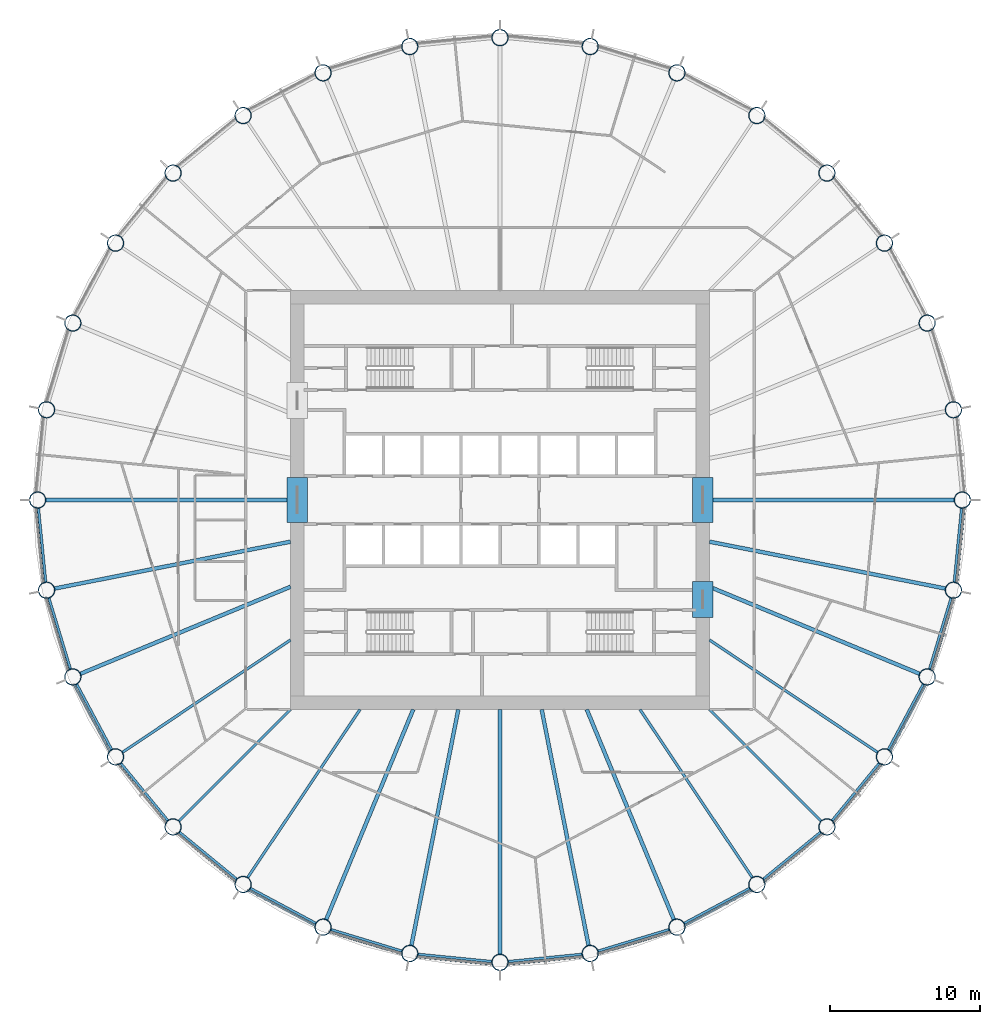
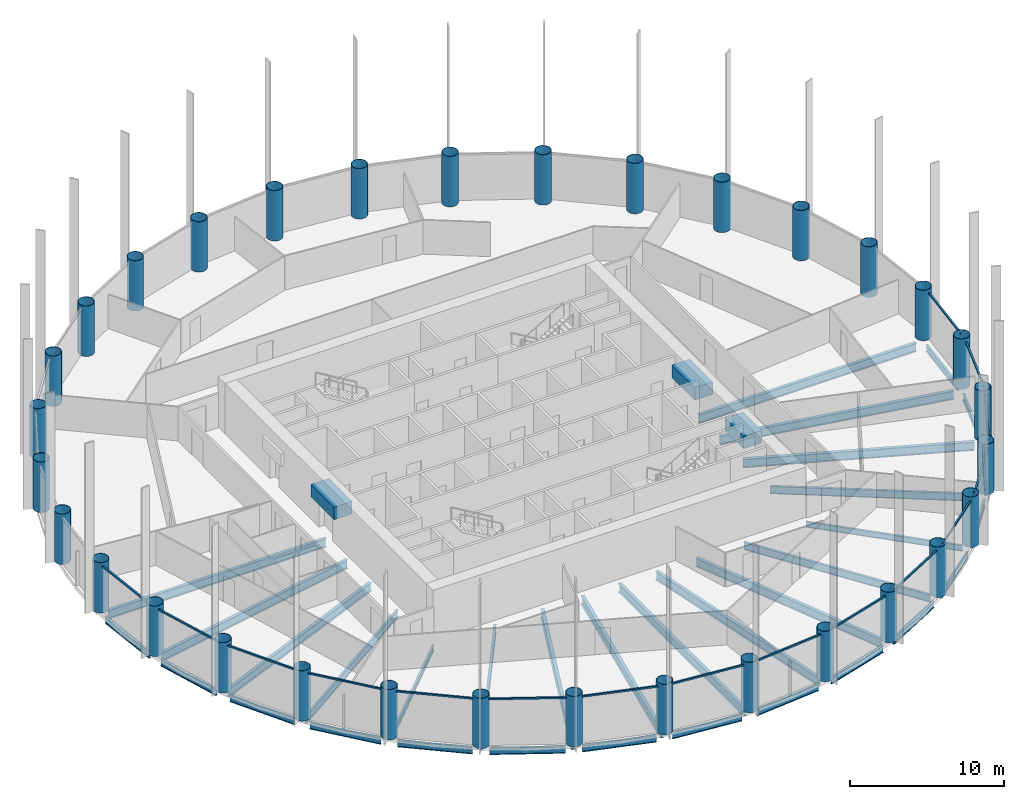
# One storey, part 1 of 9: 36 beams, 32 columns, 16 members, 16 elements without a shape of their own.
"""IFC4 building model written with IfcOpenShell, lengths in metres."""

from ifc_helpers import new_model, si_unit, direction, frame, origin, origin_2d, place, context, subcontext, project, spatial, rectangle, hollow_circle, i_section, extrude, material, material_profile, profile_set, type_object, element, aggregate, save


model = new_model("IFC4")

# Units and contexts
model_context = context("Model", 3, precision=1e-05, world=origin(), true_north=direction((0.0, 1.0)))
body_context = subcontext(model_context, "Body", "Model", "MODEL_VIEW")
ifc_project = project(units=[si_unit("LENGTHUNIT", "METRE"), si_unit("AREAUNIT", "SQUARE_METRE"), si_unit("VOLUMEUNIT", "CUBIC_METRE"), si_unit("PLANEANGLEUNIT", "RADIAN"), si_unit("MASSUNIT", "GRAM", prefix="KILO")], contexts=[model_context])

# Site, building, storey
site_placement = place(None, origin())
site = spatial("IfcSite", under=ifc_project, at=site_placement, CompositionType="ELEMENT")
building_placement = place(site_placement, origin())
building = spatial("IfcBuilding", under=site, at=building_placement, Name="Corvane Civic Tower", CompositionType="ELEMENT")
storey_placement = place(building_placement, frame((0.0, 0.0, 188.0)))
storey = spatial("IfcBuildingStorey", under=building, at=storey_placement, Name="L44", CompositionType="ELEMENT", Elevation=188.0)

# Columns
ifc_material_1 = material(Name="Steel ASTM A572 Gr 50", Category="steel")
ifc_material_profile_1 = material_profile(ifc_material_1, hollow_circle(Radius=0.550048828125, WallThickness=0.031982421875, at=origin_2d()), Name="CHS1100X32")
ifc_profile_set_1 = profile_set([ifc_material_profile_1], Name="Steel ASTM A572 Gr 50")
column_type = type_object("IfcColumnType", Name="COMPOSITE COLUMN CHS1100X32", PredefinedType="COLUMN", material=ifc_profile_set_1)
for number, where, z_axis, x_axis, name in (
    (1, (0.0, 30.89990234375, 0.0), (0.0, 0.0, 1.0), (1.0, 0.0, 0.0), "COL-L44-C01"),
    (2, (6.0283203125, 30.30615234375, 0.0), (0.0, 0.0, 1.0), (1.0, 0.0, 0.0), "COL-L44-C02"),
    (3, (11.824951171875, 28.5478515625, 0.0), (0.0, 0.0, 1.0), (1.0, 0.0, 0.0), "COL-L44-C03"),
    (4, (17.167236328125, 25.6923828125, 0.0), (0.0, 0.0, 1.0), (1.0, 0.0, 0.0), "COL-L44-C04"),
    (5, (21.849609375, 21.849609375, 0.0), (0.0, 0.0, 1.0), (1.0, 0.0, 0.0), "COL-L44-C05"),
    (6, (25.6923828125, 17.167236328125, 0.0), (0.0, 0.0, 1.0), (1.0, 0.0, 0.0), "COL-L44-C06"),
    (7, (28.5478515625, 11.824951171875, 0.0), (0.0, 0.0, 1.0), (1.0, 0.0, 0.0), "COL-L44-C07"),
    (8, (30.30615234375, 6.0283203125, 0.0), (0.0, 0.0, 1.0), (1.0, 0.0, 0.0), "COL-L44-C08"),
    (9, (30.89990234375, 0.0, 0.0), (0.0, 0.0, 1.0), (1.0, 0.0, 0.0), "COL-L44-C09"),
    (10, (30.30615234375, -6.0283203125, 0.0), (0.0, 0.0, 1.0), (1.0, 0.0, 0.0), "COL-L44-C10"),
    (11, (28.5478515625, -11.824951171875, 0.0), (0.0, 0.0, 1.0), (1.0, 0.0, 0.0), "COL-L44-C11"),
    (12, (25.6923828125, -17.167236328125, 0.0), (0.0, 0.0, 1.0), (1.0, 0.0, 0.0), "COL-L44-C12"),
    (13, (21.849609375, -21.849609375, 0.0), (0.0, 0.0, 1.0), (1.0, 0.0, 0.0), "COL-L44-C13"),
    (14, (17.167236328125, -25.6923828125, 0.0), (0.0, 0.0, 1.0), (1.0, 0.0, 0.0), "COL-L44-C14"),
    (15, (11.824951171875, -28.5478515625, 0.0), (0.0, 0.0, 1.0), (1.0, 0.0, 0.0), "COL-L44-C15"),
    (16, (6.0283203125, -30.30615234375, 0.0), (0.0, 0.0, 1.0), (1.0, 0.0, 0.0), "COL-L44-C16"),
    (17, (0.0, -30.89990234375, 0.0), (0.0, 0.0, 1.0), (1.0, 0.0, 0.0), "COL-L44-C17"),
    (18, (-6.0283203125, -30.30615234375, 0.0), (0.0, 0.0, 1.0), (1.0, 0.0, 0.0), "COL-L44-C18"),
    (19, (-11.824951171875, -28.5478515625, 0.0), (0.0, 0.0, 1.0), (1.0, 0.0, 0.0), "COL-L44-C19"),
    (20, (-17.167236328125, -25.6923828125, 0.0), (0.0, 0.0, 1.0), (1.0, 0.0, 0.0), "COL-L44-C20"),
    (21, (-21.849609375, -21.849609375, 0.0), (0.0, 0.0, 1.0), (1.0, 0.0, 0.0), "COL-L44-C21"),
    (22, (-25.6923828125, -17.167236328125, 0.0), (0.0, 0.0, 1.0), (1.0, 0.0, 0.0), "COL-L44-C22"),
    (23, (-28.5478515625, -11.824951171875, 0.0), (0.0, 0.0, 1.0), (1.0, 0.0, 0.0), "COL-L44-C23"),
    (24, (-30.30615234375, -6.0283203125, 0.0), (0.0, 0.0, 1.0), (1.0, 0.0, 0.0), "COL-L44-C24"),
    (25, (-30.89990234375, 0.0, 0.0), (0.0, 0.0, 1.0), (1.0, 0.0, 0.0), "COL-L44-C25"),
    (26, (-30.30615234375, 6.0283203125, 0.0), (0.0, 0.0, 1.0), (1.0, 0.0, 0.0), "COL-L44-C26"),
    (27, (-28.5478515625, 11.824951171875, 0.0), (0.0, 0.0, 1.0), (1.0, 0.0, 0.0), "COL-L44-C27"),
    (28, (-25.6923828125, 17.167236328125, 0.0), (0.0, 0.0, 1.0), (1.0, 0.0, 0.0), "COL-L44-C28"),
    (29, (-21.849609375, 21.849609375, 0.0), (0.0, 0.0, 1.0), (1.0, 0.0, 0.0), "COL-L44-C29"),
    (30, (-17.167236328125, 25.6923828125, 0.0), (0.0, 0.0, 1.0), (1.0, 0.0, 0.0), "COL-L44-C30"),
    (31, (-11.824951171875, 28.5478515625, 0.0), (0.0, 0.0, 1.0), (1.0, 0.0, 0.0), "COL-L44-C31"),
    (32, (-6.0283203125, 30.30615234375, 0.0), (0.0, 0.0, 1.0), (1.0, 0.0, 0.0), "COL-L44-C32"),
):
    element("IfcColumn", number, at=place(storey_placement, frame(where, z_axis=z_axis, x_axis=x_axis)), inside=storey, type_object=column_type, Name=name, PredefinedType="COLUMN", context=body_context, shape_type="SweptSolid", body=[
        extrude(hollow_circle(Radius=0.550048828125, WallThickness=0.031982421875, at=origin_2d()), origin(), (0.0, 0.0, 1.0), 4.0),
    ])

# Beams
ifc_material_2 = material(Name="Concrete C60/75", Category="concrete")
ifc_material_profile_2 = material_profile(ifc_material_2, rectangle(XDim=1.35009765625, YDim=1.0, at=origin_2d()), Name="COUPLING BEAM 1350X1000")
ifc_profile_set_2 = profile_set([ifc_material_profile_2], Name="Concrete C60/75")
beam_type_1 = type_object("IfcBeamType", Name="COUPLING BEAM COUPLING BEAM 1350X1000", PredefinedType="BEAM", material=ifc_profile_set_2)
for number, where, z_axis, x_axis, name in (
    (33, (-13.550048828125, -1.5, 2.60009765625), (0.0, 1.0, 0.0), (-1.0, 0.0, 0.0), "BM-L44-cpl-CW-LW"),
    (34, (13.550048828125, -1.5, 2.60009765625), (0.0, 1.0, 0.0), (-1.0, 0.0, 0.0), "BM-L44-cpl-CW-LE"),
):
    element("IfcBeam", number, at=place(storey_placement, frame(where, z_axis=z_axis, x_axis=x_axis)), inside=storey, type_object=beam_type_1, Name=name, PredefinedType="BEAM", context=body_context, shape_type="SweptSolid", body=[
        extrude(rectangle(XDim=1.35009765625, YDim=1.0, at=origin_2d()), origin(), (0.0, 0.0, 1.0), 3.0),
    ])
beam_1_placement = place(storey_placement, frame((13.550048828125, -7.85009765625, 2.60009765625), z_axis=(0.0, 1.0, 0.0), x_axis=(-1.0, 0.0, 0.0)))
element("IfcBeam", 35, at=beam_1_placement, inside=storey, type_object=beam_type_1, Name="BM-L44-cpl-CW-ES", PredefinedType="BEAM", context=body_context, shape_type="SweptSolid", body=[
    extrude(rectangle(XDim=1.35009765625, YDim=1.0, at=origin_2d()), origin(), (0.0, 0.0, 1.0), 2.400146484375),
])
ifc_material_3 = material(Name="Steel ASTM A992 Gr 50", Category="steel")
ifc_material_profile_3 = material_profile(ifc_material_3, i_section(OverallWidth=0.165771484375, OverallDepth=0.5283203125, WebThickness=0.009765625, FlangeThickness=0.013671875, at=origin_2d()), Name="W21X50")
ifc_profile_set_3 = profile_set([ifc_material_profile_3], Name="Steel ASTM A992 Gr 50")
beam_type_2 = type_object("IfcBeamType", Name="EDGE BEAM W21X50", PredefinedType="BEAM", material=ifc_profile_set_3)
beam_2_placement = place(storey_placement, frame((30.845947265625, -0.54736328125, -0.564208984375), z_axis=(-0.09800181167, -0.995186236294, 0.0), x_axis=(0.995186236294, -0.09800181167, 0.0)))
element("IfcBeam", 36, at=beam_2_placement, inside=storey, type_object=beam_type_2, Name="BM-L44-E09", PredefinedType="BEAM", context=body_context, shape_type="SweptSolid", body=[
    extrude(i_section(OverallWidth=0.165771484375, OverallDepth=0.5283203125, WebThickness=0.009765625, FlangeThickness=0.013671875, at=origin_2d()), origin(), (0.0, 0.0, 1.0), 4.95751953125),
])
beam_3_placement = place(storey_placement, frame((30.146484375, -6.5546875, -0.564208984375), z_axis=(-0.290269821381, -0.956944842086, 0.0), x_axis=(0.956944842086, -0.290269821381, 0.0)))
element("IfcBeam", 37, at=beam_3_placement, inside=storey, type_object=beam_type_2, Name="BM-L44-E10", PredefinedType="BEAM", context=body_context, shape_type="SweptSolid", body=[
    extrude(i_section(OverallWidth=0.165771484375, OverallDepth=0.5283203125, WebThickness=0.009765625, FlangeThickness=0.013671875, at=origin_2d()), origin(), (0.0, 0.0, 1.0), 4.957275390625),
])
for number, where, z_axis, x_axis, name in (
    (38, (28.28857421875, -12.31005859375, -0.564208984375), (-0.471395763042, -0.881921784846, 0.0), (0.881921784846, -0.471395763042, 0.0), "BM-L44-E11"),
    (39, (25.343505859375, -17.59228515625, -0.564208984375), (-0.634387546532, -0.77301516208, 0.0), (0.77301516208, -0.634387546532, 0.0), "BM-L44-E12"),
    (40, (21.424560546875, -22.198486328125, -0.564208984375), (-0.77301516208, -0.634387546532, 0.0), (0.634387546532, -0.77301516208, 0.0), "BM-L44-E13"),
    (41, (16.68212890625, -25.95166015625, -0.564208984375), (-0.881921784846, -0.471395763042, 0.0), (0.471395763042, -0.881921784846, 0.0), "BM-L44-E14"),
):
    element("IfcBeam", number, at=place(storey_placement, frame(where, z_axis=z_axis, x_axis=x_axis)), inside=storey, type_object=beam_type_2, Name=name, PredefinedType="BEAM", context=body_context, shape_type="SweptSolid", body=[
        extrude(i_section(OverallWidth=0.165771484375, OverallDepth=0.5283203125, WebThickness=0.009765625, FlangeThickness=0.013671875, at=origin_2d()), origin(), (0.0, 0.0, 1.0), 4.95751953125),
    ])
beam_4_placement = place(storey_placement, frame((11.298583984375, -28.70751953125, -0.564208984375), z_axis=(-0.956944842086, -0.290269821381, 0.0), x_axis=(0.290269821381, -0.956944842086, 0.0)))
element("IfcBeam", 42, at=beam_4_placement, inside=storey, type_object=beam_type_2, Name="BM-L44-E15", PredefinedType="BEAM", context=body_context, shape_type="SweptSolid", body=[
    extrude(i_section(OverallWidth=0.165771484375, OverallDepth=0.5283203125, WebThickness=0.009765625, FlangeThickness=0.013671875, at=origin_2d()), origin(), (0.0, 0.0, 1.0), 4.957275390625),
])
for number, where, z_axis, x_axis, name in (
    (43, (5.48095703125, -30.360107421875, -0.564208984375), (-0.995186236294, -0.09800181167, 0.0), (0.09800181167, -0.995186236294, 0.0), "BM-L44-E16"),
    (44, (-0.54736328125, -30.845947265625, -0.564208984375), (-0.995186236294, 0.09800181167, 0.0), (-0.09800181167, -0.995186236294, 0.0), "BM-L44-E17"),
):
    element("IfcBeam", number, at=place(storey_placement, frame(where, z_axis=z_axis, x_axis=x_axis)), inside=storey, type_object=beam_type_2, Name=name, PredefinedType="BEAM", context=body_context, shape_type="SweptSolid", body=[
        extrude(i_section(OverallWidth=0.165771484375, OverallDepth=0.5283203125, WebThickness=0.009765625, FlangeThickness=0.013671875, at=origin_2d()), origin(), (0.0, 0.0, 1.0), 4.95751953125),
    ])
beam_5_placement = place(storey_placement, frame((-6.5546875, -30.146484375, -0.564208984375), z_axis=(-0.956944842086, 0.290269821381, 0.0), x_axis=(-0.290269821381, -0.956944842086, 0.0)))
element("IfcBeam", 45, at=beam_5_placement, inside=storey, type_object=beam_type_2, Name="BM-L44-E18", PredefinedType="BEAM", context=body_context, shape_type="SweptSolid", body=[
    extrude(i_section(OverallWidth=0.165771484375, OverallDepth=0.5283203125, WebThickness=0.009765625, FlangeThickness=0.013671875, at=origin_2d()), origin(), (0.0, 0.0, 1.0), 4.957275390625),
])
for number, where, z_axis, x_axis, name in (
    (46, (-12.31005859375, -28.28857421875, -0.564208984375), (-0.881921784846, 0.471395763042, 0.0), (-0.471395763042, -0.881921784846, 0.0), "BM-L44-E19"),
    (47, (-17.59228515625, -25.343505859375, -0.564208984375), (-0.77301516208, 0.634387546532, 0.0), (-0.634387546532, -0.77301516208, 0.0), "BM-L44-E20"),
    (48, (-22.198486328125, -21.424560546875, -0.564208984375), (-0.634387546532, 0.77301516208, 0.0), (-0.77301516208, -0.634387546532, 0.0), "BM-L44-E21"),
    (49, (-25.95166015625, -16.68212890625, -0.564208984375), (-0.471395763042, 0.881921784846, 0.0), (-0.881921784846, -0.471395763042, 0.0), "BM-L44-E22"),
):
    element("IfcBeam", number, at=place(storey_placement, frame(where, z_axis=z_axis, x_axis=x_axis)), inside=storey, type_object=beam_type_2, Name=name, PredefinedType="BEAM", context=body_context, shape_type="SweptSolid", body=[
        extrude(i_section(OverallWidth=0.165771484375, OverallDepth=0.5283203125, WebThickness=0.009765625, FlangeThickness=0.013671875, at=origin_2d()), origin(), (0.0, 0.0, 1.0), 4.95751953125),
    ])
beam_6_placement = place(storey_placement, frame((-28.70751953125, -11.298583984375, -0.564208984375), z_axis=(-0.290269821381, 0.956944842086, 0.0), x_axis=(-0.956944842086, -0.290269821381, 0.0)))
element("IfcBeam", 50, at=beam_6_placement, inside=storey, type_object=beam_type_2, Name="BM-L44-E23", PredefinedType="BEAM", context=body_context, shape_type="SweptSolid", body=[
    extrude(i_section(OverallWidth=0.165771484375, OverallDepth=0.5283203125, WebThickness=0.009765625, FlangeThickness=0.013671875, at=origin_2d()), origin(), (0.0, 0.0, 1.0), 4.957275390625),
])
beam_7_placement = place(storey_placement, frame((-30.360107421875, -5.48095703125, -0.564208984375), z_axis=(-0.09800181167, 0.995186236294, 0.0), x_axis=(-0.995186236294, -0.09800181167, 0.0)))
element("IfcBeam", 51, at=beam_7_placement, inside=storey, type_object=beam_type_2, Name="BM-L44-E24", PredefinedType="BEAM", context=body_context, shape_type="SweptSolid", body=[
    extrude(i_section(OverallWidth=0.165771484375, OverallDepth=0.5283203125, WebThickness=0.009765625, FlangeThickness=0.013671875, at=origin_2d()), origin(), (0.0, 0.0, 1.0), 4.95751953125),
])
ifc_material_4 = material(Name="Steel ASTM A992 Gr 50", Category="steel")
ifc_material_profile_4 = material_profile(ifc_material_4, i_section(OverallWidth=0.15283203125, OverallDepth=0.45458984375, WebThickness=0.008056640625, FlangeThickness=0.013427734375, at=origin_2d()), Name="W18X40")
ifc_profile_set_4 = profile_set([ifc_material_profile_4], Name="Steel ASTM A992 Gr 50")
beam_type_3 = type_object("IfcBeamType", Name="FLOOR GIRDER W18X40", PredefinedType="BEAM", material=ifc_profile_set_4)
for number, where, z_axis, x_axis, name in (
    (52, (14.0, -14.0, -0.52734375), (0.707106781187, -0.707106781187, 0.0), (0.707106781187, 0.707106781187, 0.0), "BM-L44-G13"),
    (53, (-14.0, -14.0, -0.52734375), (-0.707106781187, -0.707106781187, 0.0), (0.707106781187, -0.707106781187, 0.0), "BM-L44-G21"),
):
    element("IfcBeam", number, at=place(storey_placement, frame(where, z_axis=z_axis, x_axis=x_axis)), inside=storey, type_object=beam_type_3, Name=name, PredefinedType="BEAM", context=body_context, shape_type="SweptSolid", body=[
        extrude(i_section(OverallWidth=0.15283203125, OverallDepth=0.45458984375, WebThickness=0.008056640625, FlangeThickness=0.013427734375, at=origin_2d()), origin(), (0.0, 0.0, 1.0), 10.551025390625),
    ])
ifc_material_5 = material(Name="Steel ASTM A992 Gr 50", Category="steel")
ifc_material_profile_5 = material_profile(ifc_material_5, i_section(OverallWidth=0.177978515625, OverallDepth=0.599365234375, WebThickness=0.010009765625, FlangeThickness=0.012939453125, at=origin_2d()), Name="W24X55")
ifc_profile_set_5 = profile_set([ifc_material_profile_5], Name="Steel ASTM A992 Gr 50")
beam_type_4 = type_object("IfcBeamType", Name="FLOOR GIRDER W24X55", PredefinedType="BEAM", material=ifc_profile_set_5)
for number, where, z_axis, x_axis, name in (
    (54, (14.0, -9.3544921875, -0.599609375), (0.83146888399, -0.555571323015, 0.0), (0.555571323015, 0.83146888399, 0.0), "BM-L44-G12"),
    (55, (9.3544921875, -14.0, -0.599609375), (0.555571323015, -0.83146888399, 0.0), (0.83146888399, 0.555571323015, 0.0), "BM-L44-G14"),
    (56, (-9.3544921875, -14.0, -0.599609375), (-0.555571323015, -0.83146888399, 0.0), (0.83146888399, -0.555571323015, 0.0), "BM-L44-G20"),
    (57, (-14.0, -9.3544921875, -0.599609375), (-0.83146888399, -0.555571323015, 0.0), (0.555571323015, -0.83146888399, 0.0), "BM-L44-G22"),
):
    element("IfcBeam", number, at=place(storey_placement, frame(where, z_axis=z_axis, x_axis=x_axis)), inside=storey, type_object=beam_type_4, Name=name, PredefinedType="BEAM", context=body_context, shape_type="SweptSolid", body=[
        extrude(i_section(OverallWidth=0.177978515625, OverallDepth=0.599365234375, WebThickness=0.010009765625, FlangeThickness=0.012939453125, at=origin_2d()), origin(), (0.0, 0.0, 1.0), 13.512451171875),
    ])
ifc_material_6 = material(Name="Steel ASTM A992 Gr 50", Category="steel")
ifc_material_profile_6 = material_profile(ifc_material_6, i_section(OverallWidth=0.25390625, OverallDepth=0.67822265625, WebThickness=0.01171875, FlangeThickness=0.016357421875, at=origin_2d()), Name="W27X84")
ifc_profile_set_6 = profile_set([ifc_material_profile_6], Name="Steel ASTM A992 Gr 50")
beam_type_5 = type_object("IfcBeamType", Name="FLOOR GIRDER W27X84", PredefinedType="BEAM", material=ifc_profile_set_6)
beam_8_placement = place(storey_placement, frame((14.0, 0.0, -0.63916015625), z_axis=(1.0, 0.0, 0.0), x_axis=(0.0, 1.0, 0.0)))
element("IfcBeam", 58, at=beam_8_placement, inside=storey, type_object=beam_type_5, Name="BM-L44-G09", PredefinedType="BEAM", context=body_context, shape_type="SweptSolid", body=[
    extrude(i_section(OverallWidth=0.25390625, OverallDepth=0.67822265625, WebThickness=0.01171875, FlangeThickness=0.016357421875, at=origin_2d()), origin(), (0.0, 0.0, 1.0), 16.35009765625),
])
beam_9_placement = place(storey_placement, frame((14.0, -2.78466796875, -0.63916015625), z_axis=(0.980785162999, -0.195090912248, 0.0), x_axis=(0.195090912248, 0.980785162999, 0.0)))
element("IfcBeam", 59, at=beam_9_placement, inside=storey, type_object=beam_type_5, Name="BM-L44-G10", PredefinedType="BEAM", context=body_context, shape_type="SweptSolid", body=[
    extrude(i_section(OverallWidth=0.25390625, OverallDepth=0.67822265625, WebThickness=0.01171875, FlangeThickness=0.016357421875, at=origin_2d()), origin(), (0.0, 0.0, 1.0), 16.07568359375),
])
for number, where, z_axis, x_axis, name in (
    (60, (14.0, -5.799072265625, -0.63916015625), (0.923880551114, -0.38268097323, 0.0), (0.38268097323, 0.923880551114, 0.0), "BM-L44-G11"),
    (61, (5.799072265625, -14.0, -0.63916015625), (0.38268097323, -0.923880551114, 0.0), (0.923880551114, 0.38268097323, 0.0), "BM-L44-G15"),
):
    element("IfcBeam", number, at=place(storey_placement, frame(where, z_axis=z_axis, x_axis=x_axis)), inside=storey, type_object=beam_type_5, Name=name, PredefinedType="BEAM", context=body_context, shape_type="SweptSolid", body=[
        extrude(i_section(OverallWidth=0.25390625, OverallDepth=0.67822265625, WebThickness=0.01171875, FlangeThickness=0.016357421875, at=origin_2d()), origin(), (0.0, 0.0, 1.0), 15.196533203125),
    ])
beam_10_placement = place(storey_placement, frame((2.78466796875, -14.0, -0.63916015625), z_axis=(0.195090912248, -0.980785162999, 0.0), x_axis=(0.980785162999, 0.195090912248, 0.0)))
element("IfcBeam", 62, at=beam_10_placement, inside=storey, type_object=beam_type_5, Name="BM-L44-G16", PredefinedType="BEAM", context=body_context, shape_type="SweptSolid", body=[
    extrude(i_section(OverallWidth=0.25390625, OverallDepth=0.67822265625, WebThickness=0.01171875, FlangeThickness=0.016357421875, at=origin_2d()), origin(), (0.0, 0.0, 1.0), 16.07568359375),
])
beam_11_placement = place(storey_placement, frame((0.0, -14.0, -0.63916015625), z_axis=(0.0, -1.0, 0.0), x_axis=(1.0, 0.0, 0.0)))
element("IfcBeam", 63, at=beam_11_placement, inside=storey, type_object=beam_type_5, Name="BM-L44-G17", PredefinedType="BEAM", context=body_context, shape_type="SweptSolid", body=[
    extrude(i_section(OverallWidth=0.25390625, OverallDepth=0.67822265625, WebThickness=0.01171875, FlangeThickness=0.016357421875, at=origin_2d()), origin(), (0.0, 0.0, 1.0), 16.35009765625),
])
beam_12_placement = place(storey_placement, frame((-2.78466796875, -14.0, -0.63916015625), z_axis=(-0.195090912248, -0.980785162999, 0.0), x_axis=(0.980785162999, -0.195090912248, 0.0)))
element("IfcBeam", 64, at=beam_12_placement, inside=storey, type_object=beam_type_5, Name="BM-L44-G18", PredefinedType="BEAM", context=body_context, shape_type="SweptSolid", body=[
    extrude(i_section(OverallWidth=0.25390625, OverallDepth=0.67822265625, WebThickness=0.01171875, FlangeThickness=0.016357421875, at=origin_2d()), origin(), (0.0, 0.0, 1.0), 16.07568359375),
])
for number, where, z_axis, x_axis, name in (
    (65, (-5.799072265625, -14.0, -0.63916015625), (-0.38268097323, -0.923880551114, 0.0), (0.923880551114, -0.38268097323, 0.0), "BM-L44-G19"),
    (66, (-14.0, -5.799072265625, -0.63916015625), (-0.923880551114, -0.38268097323, 0.0), (0.38268097323, -0.923880551114, 0.0), "BM-L44-G23"),
):
    element("IfcBeam", number, at=place(storey_placement, frame(where, z_axis=z_axis, x_axis=x_axis)), inside=storey, type_object=beam_type_5, Name=name, PredefinedType="BEAM", context=body_context, shape_type="SweptSolid", body=[
        extrude(i_section(OverallWidth=0.25390625, OverallDepth=0.67822265625, WebThickness=0.01171875, FlangeThickness=0.016357421875, at=origin_2d()), origin(), (0.0, 0.0, 1.0), 15.196533203125),
    ])
beam_13_placement = place(storey_placement, frame((-14.0, -2.78466796875, -0.63916015625), z_axis=(-0.980785162999, -0.195090912248, 0.0), x_axis=(0.195090912248, -0.980785162999, 0.0)))
element("IfcBeam", 67, at=beam_13_placement, inside=storey, type_object=beam_type_5, Name="BM-L44-G24", PredefinedType="BEAM", context=body_context, shape_type="SweptSolid", body=[
    extrude(i_section(OverallWidth=0.25390625, OverallDepth=0.67822265625, WebThickness=0.01171875, FlangeThickness=0.016357421875, at=origin_2d()), origin(), (0.0, 0.0, 1.0), 16.07568359375),
])
beam_14_placement = place(storey_placement, frame((-14.0, 0.0, -0.63916015625), z_axis=(-1.0, 0.0, 0.0), x_axis=(0.0, -1.0, 0.0)))
element("IfcBeam", 68, at=beam_14_placement, inside=storey, type_object=beam_type_5, Name="BM-L44-G25", PredefinedType="BEAM", context=body_context, shape_type="SweptSolid", body=[
    extrude(i_section(OverallWidth=0.25390625, OverallDepth=0.67822265625, WebThickness=0.01171875, FlangeThickness=0.016357421875, at=origin_2d()), origin(), (0.0, 0.0, 1.0), 16.35009765625),
])

# Curtain wall, member
ifc_material_7 = material(Name="Anodised aluminium bronze", Category="aluminium")
curtain_wall_type = type_object("IfcCurtainWallType", Name="TOWER CW-T2 STICK CURTAIN WALL", PredefinedType="NOTDEFINED", material=ifc_material_7)
curtain_wall_1_placement = place(storey_placement, origin())
curtain_wall_1 = element("IfcCurtainWall", 69, at=curtain_wall_1_placement, inside=storey, type_object=curtain_wall_type, Name="Curtain wall CW-T2 L44 bay 09", PredefinedType="NOTDEFINED")
ifc_material_8 = material(Name="Anodised aluminium bronze", Category="aluminium")
ifc_material_profile_7 = material_profile(ifc_material_8, rectangle(XDim=0.1201171875, YDim=0.1201171875, at=origin_2d()), Name="TOWER CW-T2 TRANSOM 120x120")
ifc_profile_set_7 = profile_set([ifc_material_profile_7], Name="Anodised aluminium bronze")
member_type = type_object("IfcMemberType", Name="TOWER CW-T2 TRANSOM 120x120", PredefinedType="USERDEFINED", material=ifc_profile_set_7)
member_1_placement = place(storey_placement, frame((31.0302734375, -0.505126953125, 3.68994140625), z_axis=(-0.097989755963, -0.995187423416, 0.0), x_axis=(0.995187423416, -0.097989755963, 0.0)))
member_1 = element("IfcMember", 70, at=member_1_placement, type_object=member_type, Name="Transom CW-T2 L44 09.1", ObjectType="TRANSOM", PredefinedType="USERDEFINED", context=body_context, shape_type="SweptSolid", body=[
    extrude(rectangle(XDim=0.1201171875, YDim=0.1201171875, at=origin_2d()), origin(), (0.0, 0.0, 1.0), 5.07763671875),
])
aggregate(curtain_wall_1, [member_1])

curtain_wall_2_placement = place(storey_placement, origin())
curtain_wall_2 = element("IfcCurtainWall", 71, at=curtain_wall_2_placement, inside=storey, type_object=curtain_wall_type, Name="Curtain wall CW-T2 L44 bay 10", PredefinedType="NOTDEFINED")
member_2_placement = place(storey_placement, frame((30.33544921875, -6.54931640625, 3.68994140625), z_axis=(-0.290288977061, -0.956939031389, 0.0), x_axis=(0.956939031389, -0.290288977061, 0.0)))
member_2 = element("IfcMember", 72, at=member_2_placement, type_object=member_type, Name="Transom CW-T2 L44 10.1", ObjectType="TRANSOM", PredefinedType="USERDEFINED", context=body_context, shape_type="SweptSolid", body=[
    extrude(rectangle(XDim=0.1201171875, YDim=0.1201171875, at=origin_2d()), origin(), (0.0, 0.0, 1.0), 5.077392578125),
])
aggregate(curtain_wall_2, [member_2])

curtain_wall_3_placement = place(storey_placement, origin())
curtain_wall_3 = element("IfcCurtainWall", 73, at=curtain_wall_3_placement, inside=storey, type_object=curtain_wall_type, Name="Curtain wall CW-T2 L44 bay 11", PredefinedType="NOTDEFINED")
member_3_placement = place(storey_placement, frame((28.474853515625, -12.341552734375, 3.68994140625), z_axis=(-0.471396615074, -0.881921329426, 0.0), x_axis=(0.881921329426, -0.471396615074, 0.0)))
member_3 = element("IfcMember", 74, at=member_3_placement, type_object=member_type, Name="Transom CW-T2 L44 11.1", ObjectType="TRANSOM", PredefinedType="USERDEFINED", context=body_context, shape_type="SweptSolid", body=[
    extrude(rectangle(XDim=0.1201171875, YDim=0.1201171875, at=origin_2d()), origin(), (0.0, 0.0, 1.0), 5.07763671875),
])
aggregate(curtain_wall_3, [member_3])

curtain_wall_4_placement = place(storey_placement, origin())
curtain_wall_4 = element("IfcCurtainWall", 75, at=curtain_wall_4_placement, inside=storey, type_object=curtain_wall_type, Name="Curtain wall CW-T2 L44 bay 12", PredefinedType="NOTDEFINED")
member_4_placement = place(storey_placement, frame((25.519775390625, -17.65966796875, 3.68994140625), z_axis=(-0.634386611146, -0.773015929719, 0.0), x_axis=(0.773015929719, -0.634386611146, 0.0)))
member_4 = element("IfcMember", 76, at=member_4_placement, type_object=member_type, Name="Transom CW-T2 L44 12.1", ObjectType="TRANSOM", PredefinedType="USERDEFINED", context=body_context, shape_type="SweptSolid", body=[
    extrude(rectangle(XDim=0.1201171875, YDim=0.1201171875, at=origin_2d()), origin(), (0.0, 0.0, 1.0), 5.0771484375),
])
aggregate(curtain_wall_4, [member_4])

curtain_wall_5_placement = place(storey_placement, origin())
curtain_wall_5 = element("IfcCurtainWall", 77, at=curtain_wall_5_placement, inside=storey, type_object=curtain_wall_type, Name="Curtain wall CW-T2 L44 bay 13", PredefinedType="NOTDEFINED")
member_5_placement = place(storey_placement, frame((21.58447265625, -22.298828125, 3.68994140625), z_axis=(-0.773015929719, -0.634386611146, 0.0), x_axis=(0.634386611146, -0.773015929719, 0.0)))
member_5 = element("IfcMember", 78, at=member_5_placement, type_object=member_type, Name="Transom CW-T2 L44 13.1", ObjectType="TRANSOM", PredefinedType="USERDEFINED", context=body_context, shape_type="SweptSolid", body=[
    extrude(rectangle(XDim=0.1201171875, YDim=0.1201171875, at=origin_2d()), origin(), (0.0, 0.0, 1.0), 5.0771484375),
])
aggregate(curtain_wall_5, [member_5])

curtain_wall_6_placement = place(storey_placement, origin())
curtain_wall_6 = element("IfcCurtainWall", 79, at=curtain_wall_6_placement, inside=storey, type_object=curtain_wall_type, Name="Curtain wall CW-T2 L44 bay 14", PredefinedType="NOTDEFINED")
member_6_placement = place(storey_placement, frame((16.819580078125, -26.081298828125, 3.68994140625), z_axis=(-0.881921329426, -0.471396615074, 0.0), x_axis=(0.471396615074, -0.881921329426, 0.0)))
member_6 = element("IfcMember", 80, at=member_6_placement, type_object=member_type, Name="Transom CW-T2 L44 14.1", ObjectType="TRANSOM", PredefinedType="USERDEFINED", context=body_context, shape_type="SweptSolid", body=[
    extrude(rectangle(XDim=0.1201171875, YDim=0.1201171875, at=origin_2d()), origin(), (0.0, 0.0, 1.0), 5.07763671875),
])
aggregate(curtain_wall_6, [member_6])

curtain_wall_7_placement = place(storey_placement, origin())
curtain_wall_7 = element("IfcCurtainWall", 81, at=curtain_wall_7_placement, inside=storey, type_object=curtain_wall_type, Name="Curtain wall CW-T2 L44 bay 15", PredefinedType="NOTDEFINED")
member_7_placement = place(storey_placement, frame((11.407958984375, -28.861572265625, 3.68994140625), z_axis=(-0.956939031389, -0.290288977061, 0.0), x_axis=(0.290288977061, -0.956939031389, 0.0)))
member_7 = element("IfcMember", 82, at=member_7_placement, type_object=member_type, Name="Transom CW-T2 L44 15.1", ObjectType="TRANSOM", PredefinedType="USERDEFINED", context=body_context, shape_type="SweptSolid", body=[
    extrude(rectangle(XDim=0.1201171875, YDim=0.1201171875, at=origin_2d()), origin(), (0.0, 0.0, 1.0), 5.077392578125),
])
aggregate(curtain_wall_7, [member_7])

curtain_wall_8_placement = place(storey_placement, origin())
curtain_wall_8 = element("IfcCurtainWall", 83, at=curtain_wall_8_placement, inside=storey, type_object=curtain_wall_type, Name="Curtain wall CW-T2 L44 bay 16", PredefinedType="NOTDEFINED")
member_8_placement = place(storey_placement, frame((5.558349609375, -30.53271484375, 3.68994140625), z_axis=(-0.995187423416, -0.097989755963, 0.0), x_axis=(0.097989755963, -0.995187423416, 0.0)))
member_8 = element("IfcMember", 84, at=member_8_placement, type_object=member_type, Name="Transom CW-T2 L44 16.1", ObjectType="TRANSOM", PredefinedType="USERDEFINED", context=body_context, shape_type="SweptSolid", body=[
    extrude(rectangle(XDim=0.1201171875, YDim=0.1201171875, at=origin_2d()), origin(), (0.0, 0.0, 1.0), 5.07763671875),
])
aggregate(curtain_wall_8, [member_8])

curtain_wall_9_placement = place(storey_placement, origin())
curtain_wall_9 = element("IfcCurtainWall", 85, at=curtain_wall_9_placement, inside=storey, type_object=curtain_wall_type, Name="Curtain wall CW-T2 L44 bay 17", PredefinedType="NOTDEFINED")
member_9_placement = place(storey_placement, frame((-0.505126953125, -31.0302734375, 3.68994140625), z_axis=(-0.995187423416, 0.097989755963, 0.0), x_axis=(-0.097989755963, -0.995187423416, 0.0)))
member_9 = element("IfcMember", 86, at=member_9_placement, type_object=member_type, Name="Transom CW-T2 L44 17.1", ObjectType="TRANSOM", PredefinedType="USERDEFINED", context=body_context, shape_type="SweptSolid", body=[
    extrude(rectangle(XDim=0.1201171875, YDim=0.1201171875, at=origin_2d()), origin(), (0.0, 0.0, 1.0), 5.07763671875),
])
aggregate(curtain_wall_9, [member_9])

curtain_wall_10_placement = place(storey_placement, origin())
curtain_wall_10 = element("IfcCurtainWall", 87, at=curtain_wall_10_placement, inside=storey, type_object=curtain_wall_type, Name="Curtain wall CW-T2 L44 bay 18", PredefinedType="NOTDEFINED")
member_10_placement = place(storey_placement, frame((-6.54931640625, -30.33544921875, 3.68994140625), z_axis=(-0.956939031389, 0.290288977061, 0.0), x_axis=(-0.290288977061, -0.956939031389, 0.0)))
member_10 = element("IfcMember", 88, at=member_10_placement, type_object=member_type, Name="Transom CW-T2 L44 18.1", ObjectType="TRANSOM", PredefinedType="USERDEFINED", context=body_context, shape_type="SweptSolid", body=[
    extrude(rectangle(XDim=0.1201171875, YDim=0.1201171875, at=origin_2d()), origin(), (0.0, 0.0, 1.0), 5.077392578125),
])
aggregate(curtain_wall_10, [member_10])

curtain_wall_11_placement = place(storey_placement, origin())
curtain_wall_11 = element("IfcCurtainWall", 89, at=curtain_wall_11_placement, inside=storey, type_object=curtain_wall_type, Name="Curtain wall CW-T2 L44 bay 19", PredefinedType="NOTDEFINED")
member_11_placement = place(storey_placement, frame((-12.341552734375, -28.474853515625, 3.68994140625), z_axis=(-0.881921329426, 0.471396615074, 0.0), x_axis=(-0.471396615074, -0.881921329426, 0.0)))
member_11 = element("IfcMember", 90, at=member_11_placement, type_object=member_type, Name="Transom CW-T2 L44 19.1", ObjectType="TRANSOM", PredefinedType="USERDEFINED", context=body_context, shape_type="SweptSolid", body=[
    extrude(rectangle(XDim=0.1201171875, YDim=0.1201171875, at=origin_2d()), origin(), (0.0, 0.0, 1.0), 5.07763671875),
])
aggregate(curtain_wall_11, [member_11])

curtain_wall_12_placement = place(storey_placement, origin())
curtain_wall_12 = element("IfcCurtainWall", 91, at=curtain_wall_12_placement, inside=storey, type_object=curtain_wall_type, Name="Curtain wall CW-T2 L44 bay 20", PredefinedType="NOTDEFINED")
member_12_placement = place(storey_placement, frame((-17.65966796875, -25.519775390625, 3.68994140625), z_axis=(-0.773015929719, 0.634386611146, 0.0), x_axis=(-0.634386611146, -0.773015929719, 0.0)))
member_12 = element("IfcMember", 92, at=member_12_placement, type_object=member_type, Name="Transom CW-T2 L44 20.1", ObjectType="TRANSOM", PredefinedType="USERDEFINED", context=body_context, shape_type="SweptSolid", body=[
    extrude(rectangle(XDim=0.1201171875, YDim=0.1201171875, at=origin_2d()), origin(), (0.0, 0.0, 1.0), 5.0771484375),
])
aggregate(curtain_wall_12, [member_12])

curtain_wall_13_placement = place(storey_placement, origin())
curtain_wall_13 = element("IfcCurtainWall", 93, at=curtain_wall_13_placement, inside=storey, type_object=curtain_wall_type, Name="Curtain wall CW-T2 L44 bay 21", PredefinedType="NOTDEFINED")
member_13_placement = place(storey_placement, frame((-22.298828125, -21.58447265625, 3.68994140625), z_axis=(-0.634386611146, 0.773015929719, 0.0), x_axis=(-0.773015929719, -0.634386611146, 0.0)))
member_13 = element("IfcMember", 94, at=member_13_placement, type_object=member_type, Name="Transom CW-T2 L44 21.1", ObjectType="TRANSOM", PredefinedType="USERDEFINED", context=body_context, shape_type="SweptSolid", body=[
    extrude(rectangle(XDim=0.1201171875, YDim=0.1201171875, at=origin_2d()), origin(), (0.0, 0.0, 1.0), 5.0771484375),
])
aggregate(curtain_wall_13, [member_13])

curtain_wall_14_placement = place(storey_placement, origin())
curtain_wall_14 = element("IfcCurtainWall", 95, at=curtain_wall_14_placement, inside=storey, type_object=curtain_wall_type, Name="Curtain wall CW-T2 L44 bay 22", PredefinedType="NOTDEFINED")
member_14_placement = place(storey_placement, frame((-26.081298828125, -16.819580078125, 3.68994140625), z_axis=(-0.471396615074, 0.881921329426, 0.0), x_axis=(-0.881921329426, -0.471396615074, 0.0)))
member_14 = element("IfcMember", 96, at=member_14_placement, type_object=member_type, Name="Transom CW-T2 L44 22.1", ObjectType="TRANSOM", PredefinedType="USERDEFINED", context=body_context, shape_type="SweptSolid", body=[
    extrude(rectangle(XDim=0.1201171875, YDim=0.1201171875, at=origin_2d()), origin(), (0.0, 0.0, 1.0), 5.07763671875),
])
aggregate(curtain_wall_14, [member_14])

curtain_wall_15_placement = place(storey_placement, origin())
curtain_wall_15 = element("IfcCurtainWall", 97, at=curtain_wall_15_placement, inside=storey, type_object=curtain_wall_type, Name="Curtain wall CW-T2 L44 bay 23", PredefinedType="NOTDEFINED")
member_15_placement = place(storey_placement, frame((-28.861572265625, -11.407958984375, 3.68994140625), z_axis=(-0.290288977061, 0.956939031389, 0.0), x_axis=(-0.956939031389, -0.290288977061, 0.0)))
member_15 = element("IfcMember", 98, at=member_15_placement, type_object=member_type, Name="Transom CW-T2 L44 23.1", ObjectType="TRANSOM", PredefinedType="USERDEFINED", context=body_context, shape_type="SweptSolid", body=[
    extrude(rectangle(XDim=0.1201171875, YDim=0.1201171875, at=origin_2d()), origin(), (0.0, 0.0, 1.0), 5.077392578125),
])
aggregate(curtain_wall_15, [member_15])

curtain_wall_16_placement = place(storey_placement, origin())
curtain_wall_16 = element("IfcCurtainWall", 99, at=curtain_wall_16_placement, inside=storey, type_object=curtain_wall_type, Name="Curtain wall CW-T2 L44 bay 24", PredefinedType="NOTDEFINED")
member_16_placement = place(storey_placement, frame((-30.53271484375, -5.558349609375, 3.68994140625), z_axis=(-0.097989755963, 0.995187423416, 0.0), x_axis=(-0.995187423416, -0.097989755963, 0.0)))
member_16 = element("IfcMember", 100, at=member_16_placement, type_object=member_type, Name="Transom CW-T2 L44 24.1", ObjectType="TRANSOM", PredefinedType="USERDEFINED", context=body_context, shape_type="SweptSolid", body=[
    extrude(rectangle(XDim=0.1201171875, YDim=0.1201171875, at=origin_2d()), origin(), (0.0, 0.0, 1.0), 5.07763671875),
])
aggregate(curtain_wall_16, [member_16])

save(model, "model.ifc")
